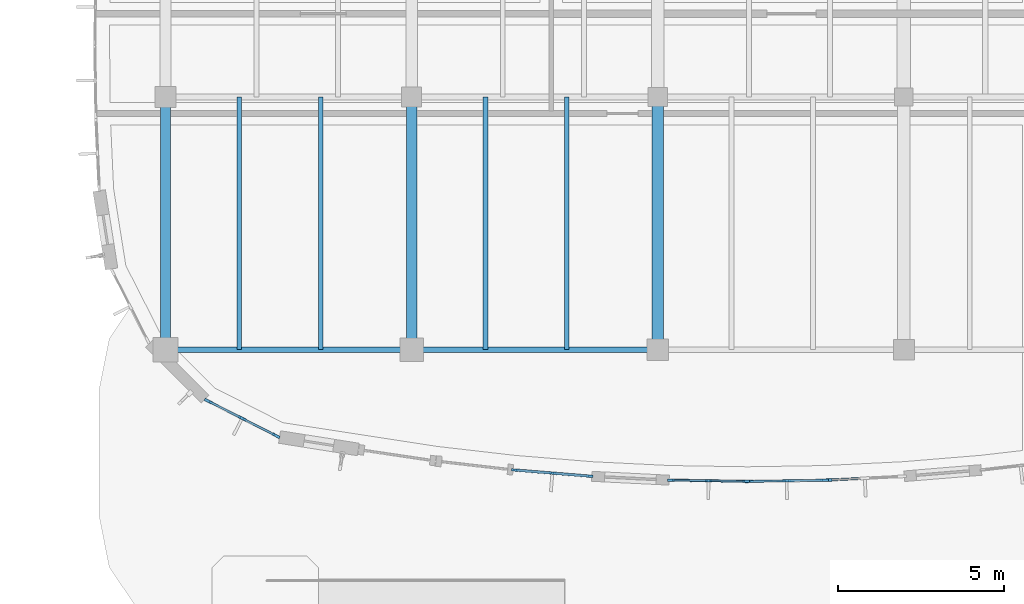
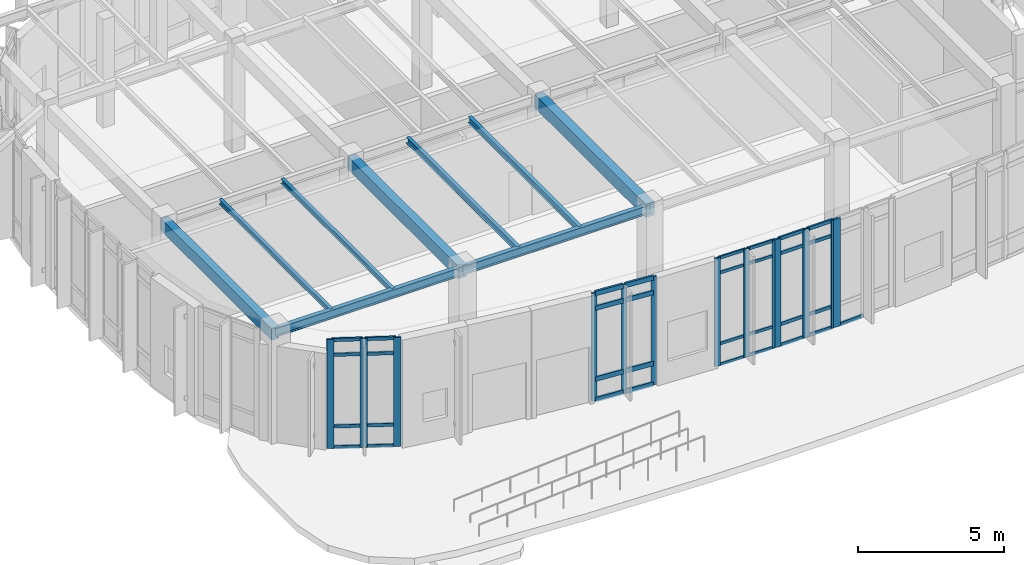
# One storey, part 30 of 120: 46 members, 9 beams, 5 elements without a shape of their own.
"""IFC4 building model written with IfcOpenShell, lengths in metres."""

from ifc_helpers import new_model, si_unit, direction, frame, origin, origin_2d, place, context, subcontext, project, spatial, rectangle, i_section, extrude, material, material_profile, profile_set, type_object, element, aggregate, save


model = new_model("IFC4")

# Units and contexts
model_context = context("Model", 3, precision=1e-05, world=origin(), true_north=direction((0.0, 1.0)))
body_context = subcontext(model_context, "Body", "Model", "MODEL_VIEW")
ifc_project = project(units=[si_unit("LENGTHUNIT", "METRE"), si_unit("AREAUNIT", "SQUARE_METRE"), si_unit("VOLUMEUNIT", "CUBIC_METRE"), si_unit("PLANEANGLEUNIT", "RADIAN"), si_unit("MASSUNIT", "GRAM", prefix="KILO")], contexts=[model_context])

# Site, building, storey
site_placement = place(None, origin())
site = spatial("IfcSite", under=ifc_project, at=site_placement, CompositionType="ELEMENT")
building_placement = place(site_placement, origin())
building = spatial("IfcBuilding", under=site, at=building_placement, Name="Corveleigh Park Community Centre", CompositionType="ELEMENT")
storey_placement = place(building_placement, origin())
storey = spatial("IfcBuildingStorey", under=building, at=storey_placement, Name="L00", CompositionType="ELEMENT", Elevation=0.0)

# Beams
ifc_material_1 = material(Name="Concrete C40/50", Category="concrete")
ifc_material_profile_1 = material_profile(ifc_material_1, rectangle(XDim=0.300048828125, YDim=0.5, at=origin_2d()), Name="RC-300x500", Category="concrete")
ifc_profile_set_1 = profile_set([ifc_material_profile_1], Name="Concrete C40/50")
beam_type_1 = type_object("IfcBeamType", Name="BM-RC-300x500", PredefinedType="BEAM", material=ifc_profile_set_1)
beam_1_placement = place(storey_placement, frame((72.0, 11.205078125, 4.2919921875), z_axis=(0.0, 1.0, 0.0), x_axis=(-1.0, 0.0, 0.0)))
element("IfcBeam", 1, at=beam_1_placement, inside=storey, type_object=beam_type_1, Name="V3 Girder Y", PredefinedType="BEAM", context=body_context, shape_type="SweptSolid", body=[
    extrude(rectangle(XDim=0.300048828125, YDim=0.5, at=origin_2d()), origin(), (0.0, 0.0, 1.0), 7.58984375),
])
ifc_material_profile_2 = material_profile(ifc_material_1, rectangle(XDim=0.324951171875, YDim=0.52490234375, at=origin_2d()), Name="RC-325x525", Category="concrete")
ifc_profile_set_2 = profile_set([ifc_material_profile_2], Name="Concrete C40/50")
beam_type_2 = type_object("IfcBeamType", Name="BM-RC-325x525", PredefinedType="BEAM", material=ifc_profile_set_2)
beam_2_placement = place(storey_placement, frame((79.39990234375, 11.205078125, 4.279541015625), z_axis=(0.0, 1.0, 0.0), x_axis=(-1.0, 0.0, 0.0)))
element("IfcBeam", 2, at=beam_2_placement, inside=storey, type_object=beam_type_2, Name="V3 Girder Y", PredefinedType="BEAM", context=body_context, shape_type="SweptSolid", body=[
    extrude(rectangle(XDim=0.324951171875, YDim=0.52490234375, at=origin_2d()), origin(), (0.0, 0.0, 1.0), 7.58984375),
])
ifc_material_profile_3 = material_profile(ifc_material_1, rectangle(XDim=0.35009765625, YDim=0.550048828125, at=origin_2d()), Name="RC-350x550", Category="concrete")
ifc_profile_set_3 = profile_set([ifc_material_profile_3], Name="Concrete C40/50")
beam_type_3 = type_object("IfcBeamType", Name="BM-RC-350x550", PredefinedType="BEAM", material=ifc_profile_set_3)
beam_3_placement = place(storey_placement, frame((86.800048828125, 11.205078125, 4.26708984375), z_axis=(0.0, 1.0, 0.0), x_axis=(-1.0, 0.0, 0.0)))
element("IfcBeam", 3, at=beam_3_placement, inside=storey, type_object=beam_type_3, Name="V3 Girder Y", PredefinedType="BEAM", context=body_context, shape_type="SweptSolid", body=[
    extrude(rectangle(XDim=0.35009765625, YDim=0.550048828125, at=origin_2d()), origin(), (0.0, 0.0, 1.0), 7.58984375),
])
ifc_material_2 = material(Name="Steel S355", Category="steel")
ifc_material_profile_4 = material_profile(ifc_material_2, i_section(OverallWidth=0.1337890625, OverallDepth=0.206787109375, WebThickness=0.00634765625, FlangeThickness=0.009521484375, at=origin_2d()), Name="UKB 203x133x30", Category="steel")
ifc_profile_set_4 = profile_set([ifc_material_profile_4], Name="Steel S355")
beam_type_4 = type_object("IfcBeamType", Name="BM-STL-UKB203x30", PredefinedType="JOIST", material=ifc_profile_set_4)
for number, where, z_axis, x_axis, name in (
    (4, (74.219970703125, 11.205078125, 4.438720703125), (0.0, 1.0, 0.0), (-1.0, 0.0, 0.0), "Secondary floor joist"),
    (5, (76.662109375, 11.205078125, 4.438720703125), (0.0, 1.0, 0.0), (-1.0, 0.0, 0.0), "Secondary floor joist"),
):
    element("IfcBeam", number, at=place(storey_placement, frame(where, z_axis=z_axis, x_axis=x_axis)), inside=storey, type_object=beam_type_4, Name=name, PredefinedType="JOIST", context=body_context, shape_type="SweptSolid", body=[
        extrude(i_section(OverallWidth=0.1337890625, OverallDepth=0.206787109375, WebThickness=0.00634765625, FlangeThickness=0.009521484375, at=origin_2d()), origin(), (0.0, 0.0, 1.0), 7.58984375),
    ])
ifc_material_profile_5 = material_profile(ifc_material_2, i_section(OverallWidth=0.14599609375, OverallDepth=0.25146484375, WebThickness=0.006103515625, FlangeThickness=0.008544921875, at=origin_2d()), Name="UKB 254x146x31", Category="steel")
ifc_profile_set_5 = profile_set([ifc_material_profile_5], Name="Steel S355")
beam_type_5 = type_object("IfcBeamType", Name="BM-STL-UKB254x31", PredefinedType="JOIST", material=ifc_profile_set_5)
for number, where, z_axis, x_axis, name in (
    (6, (81.6201171875, 11.205078125, 4.416259765625), (0.0, 1.0, 0.0), (-1.0, 0.0, 0.0), "Secondary floor joist"),
    (7, (84.06201171875, 11.205078125, 4.416259765625), (0.0, 1.0, 0.0), (-1.0, 0.0, 0.0), "Secondary floor joist"),
):
    element("IfcBeam", number, at=place(storey_placement, frame(where, z_axis=z_axis, x_axis=x_axis)), inside=storey, type_object=beam_type_5, Name=name, PredefinedType="JOIST", context=body_context, shape_type="SweptSolid", body=[
        extrude(i_section(OverallWidth=0.14599609375, OverallDepth=0.25146484375, WebThickness=0.006103515625, FlangeThickness=0.008544921875, at=origin_2d()), origin(), (0.0, 0.0, 1.0), 7.58984375),
    ])
ifc_material_profile_6 = material_profile(ifc_material_2, i_section(OverallWidth=0.172119140625, OverallDepth=0.35791015625, WebThickness=0.008056640625, FlangeThickness=0.012939453125, at=origin_2d()), Name="UKB 356x171x57", Category="steel")
ifc_profile_set_6 = profile_set([ifc_material_profile_6], Name="Steel S355")
beam_type_6 = type_object("IfcBeamType", Name="BM-STL-UKB356x57", PredefinedType="BEAM", material=ifc_profile_set_6)
beam_4_placement = place(storey_placement, frame((72.0048828125, 11.199951171875, 4.363037109375), z_axis=(1.0, 0.0, 0.0), x_axis=(0.0, 1.0, 0.0)))
element("IfcBeam", 8, at=beam_4_placement, inside=storey, type_object=beam_type_6, Name="V3 Girder X", PredefinedType="BEAM", context=body_context, shape_type="SweptSolid", body=[
    extrude(i_section(OverallWidth=0.172119140625, OverallDepth=0.35791015625, WebThickness=0.008056640625, FlangeThickness=0.012939453125, at=origin_2d()), origin(), (0.0, 0.0, 1.0), 7.39013671875),
])
ifc_material_profile_7 = material_profile(ifc_material_2, i_section(OverallWidth=0.173095703125, OverallDepth=0.36328125, WebThickness=0.009033203125, FlangeThickness=0.015625, at=origin_2d()), Name="UKB 356x171x67", Category="steel")
ifc_profile_set_7 = profile_set([ifc_material_profile_7], Name="Steel S355")
beam_type_7 = type_object("IfcBeamType", Name="BM-STL-UKB356x67", PredefinedType="BEAM", material=ifc_profile_set_7)
beam_5_placement = place(storey_placement, frame((79.405029296875, 11.199951171875, 4.3603515625), z_axis=(1.0, 0.0, 0.0), x_axis=(0.0, 1.0, 0.0)))
element("IfcBeam", 9, at=beam_5_placement, inside=storey, type_object=beam_type_7, Name="V3 Girder X", PredefinedType="BEAM", context=body_context, shape_type="SweptSolid", body=[
    extrude(i_section(OverallWidth=0.173095703125, OverallDepth=0.36328125, WebThickness=0.009033203125, FlangeThickness=0.015625, at=origin_2d()), origin(), (0.0, 0.0, 1.0), 7.389892578125),
])

# Curtain wall, members
ifc_material_3 = material(Name="Anodised aluminium 6063-T6", Category="aluminium")
curtain_wall_type = type_object("IfcCurtainWallType", Name="CW-SYS-V3-L00", PredefinedType="NOTDEFINED", material=ifc_material_3)
curtain_wall_1_placement = place(storey_placement, origin())
curtain_wall_1 = element("IfcCurtainWall", 10, at=curtain_wall_1_placement, inside=storey, type_object=curtain_wall_type, Name="V3 L00 Curtain Wall 75", PredefinedType="NOTDEFINED")
ifc_material_profile_8 = material_profile(ifc_material_3, rectangle(XDim=0.070068359375, YDim=0.199951171875, at=origin_2d()), Name="ALU-M70x200", Category="aluminium")
ifc_profile_set_8 = profile_set([ifc_material_profile_8], Name="Anodised aluminium 6063-T6")
member_type_1 = type_object("IfcMemberType", Name="CWM-70x200", PredefinedType="MULLION", material=ifc_profile_set_8)
member_1_placement = place(storey_placement, frame((84.758056640625, 7.39794921875, 0.0), z_axis=(0.0, 0.0, 1.0), x_axis=(-0.081483729643, -0.996674671999, 0.0)))
member_1 = element("IfcMember", 11, at=member_1_placement, type_object=member_type_1, Name="CW05 mullion 1", PredefinedType="MULLION", context=body_context, shape_type="SweptSolid", body=[
    extrude(rectangle(XDim=0.070068359375, YDim=0.199951171875, at=origin_2d()), origin(), (0.0, 0.0, 1.0), 4.511962890625),
])
member_2_placement = place(storey_placement, frame((83.631103515625, 7.489990234375, 0.0), z_axis=(0.0, 0.0, 1.0), x_axis=(-0.081483729643, -0.996674671999, 0.0)))
member_2 = element("IfcMember", 12, at=member_2_placement, type_object=member_type_1, Name="CW05 mullion 2", PredefinedType="MULLION", context=body_context, shape_type="SweptSolid", body=[
    extrude(rectangle(XDim=0.070068359375, YDim=0.199951171875, at=origin_2d()), origin(), (0.0, 0.0, 1.0), 4.511962890625),
])
member_3_placement = place(storey_placement, frame((82.50390625, 7.58203125, 0.0), z_axis=(0.0, 0.0, 1.0), x_axis=(-0.081483729643, -0.996674671999, 0.0)))
member_3 = element("IfcMember", 13, at=member_3_placement, type_object=member_type_1, Name="CW05 mullion 3", PredefinedType="MULLION", context=body_context, shape_type="SweptSolid", body=[
    extrude(rectangle(XDim=0.070068359375, YDim=0.199951171875, at=origin_2d()), origin(), (0.0, 0.0, 1.0), 4.511962890625),
])

curtain_wall_2_placement = place(storey_placement, origin())
curtain_wall_2 = element("IfcCurtainWall", 14, at=curtain_wall_2_placement, inside=storey, type_object=curtain_wall_type, Name="V3 L00 Curtain Wall 76", PredefinedType="NOTDEFINED")
ifc_material_profile_9 = material_profile(ifc_material_3, rectangle(XDim=0.074951171875, YDim=0.219970703125, at=origin_2d()), Name="ALU-M75x220", Category="aluminium")
ifc_profile_set_9 = profile_set([ifc_material_profile_9], Name="Anodised aluminium 6063-T6")
member_type_2 = type_object("IfcMemberType", Name="CWM-75x220", PredefinedType="MULLION", material=ifc_profile_set_9)
member_4_placement = place(storey_placement, frame((89.45361328125, 7.24072265625, 0.0), z_axis=(0.0, 0.0, 1.0), x_axis=(-0.016292862768, -0.999867262502, 0.0)))
member_4 = element("IfcMember", 15, at=member_4_placement, type_object=member_type_2, Name="CW05 mullion 1", PredefinedType="MULLION", context=body_context, shape_type="SweptSolid", body=[
    extrude(rectangle(XDim=0.074951171875, YDim=0.219970703125, at=origin_2d()), origin(), (0.0, 0.0, 1.0), 4.511962890625),
])
member_5_placement = place(storey_placement, frame((88.324951171875, 7.259033203125, 0.0), z_axis=(0.0, 0.0, 1.0), x_axis=(-0.016292862768, -0.999867262502, 0.0)))
member_5 = element("IfcMember", 16, at=member_5_placement, type_object=member_type_2, Name="CW05 mullion 2", PredefinedType="MULLION", context=body_context, shape_type="SweptSolid", body=[
    extrude(rectangle(XDim=0.074951171875, YDim=0.219970703125, at=origin_2d()), origin(), (0.0, 0.0, 1.0), 4.511962890625),
])
member_6_placement = place(storey_placement, frame((87.196533203125, 7.27734375, 0.0), z_axis=(0.0, 0.0, 1.0), x_axis=(-0.016292862768, -0.999867262502, 0.0)))
member_6 = element("IfcMember", 17, at=member_6_placement, type_object=member_type_2, Name="CW05 mullion 3", PredefinedType="MULLION", context=body_context, shape_type="SweptSolid", body=[
    extrude(rectangle(XDim=0.074951171875, YDim=0.219970703125, at=origin_2d()), origin(), (0.0, 0.0, 1.0), 4.511962890625),
])

curtain_wall_3_placement = place(storey_placement, origin())
curtain_wall_3 = element("IfcCurtainWall", 18, at=curtain_wall_3_placement, inside=storey, type_object=curtain_wall_type, Name="V3 L00 Curtain Wall 77", PredefinedType="NOTDEFINED")
ifc_material_profile_10 = material_profile(ifc_material_3, rectangle(XDim=0.080078125, YDim=0.25, at=origin_2d()), Name="ALU-M80x250", Category="aluminium")
ifc_profile_set_10 = profile_set([ifc_material_profile_10], Name="Anodised aluminium 6063-T6")
member_type_3 = type_object("IfcMemberType", Name="CWM-80x250", PredefinedType="MULLION", material=ifc_profile_set_10)
member_7_placement = place(storey_placement, frame((91.801025390625, 7.27734375, 0.0), z_axis=(0.0, 0.0, 1.0), x_axis=(0.016292862768, -0.999867262502, 0.0)))
member_7 = element("IfcMember", 19, at=member_7_placement, type_object=member_type_3, Name="CW05 mullion 1", PredefinedType="MULLION", context=body_context, shape_type="SweptSolid", body=[
    extrude(rectangle(XDim=0.080078125, YDim=0.25, at=origin_2d()), origin(), (0.0, 0.0, 1.0), 4.511962890625),
])
member_8_placement = place(storey_placement, frame((90.675048828125, 7.259033203125, 0.0), z_axis=(0.0, 0.0, 1.0), x_axis=(0.016292862768, -0.999867262502, 0.0)))
member_8 = element("IfcMember", 20, at=member_8_placement, type_object=member_type_3, Name="CW05 mullion 2", PredefinedType="MULLION", context=body_context, shape_type="SweptSolid", body=[
    extrude(rectangle(XDim=0.080078125, YDim=0.25, at=origin_2d()), origin(), (0.0, 0.0, 1.0), 4.511962890625),
])
member_9_placement = place(storey_placement, frame((89.549072265625, 7.24072265625, 0.0), z_axis=(0.0, 0.0, 1.0), x_axis=(0.016292862768, -0.999867262502, 0.0)))
member_9 = element("IfcMember", 21, at=member_9_placement, type_object=member_type_3, Name="CW05 mullion 3", PredefinedType="MULLION", context=body_context, shape_type="SweptSolid", body=[
    extrude(rectangle(XDim=0.080078125, YDim=0.25, at=origin_2d()), origin(), (0.0, 0.0, 1.0), 4.511962890625),
])

curtain_wall_4_placement = place(storey_placement, origin())
curtain_wall_4 = element("IfcCurtainWall", 22, at=curtain_wall_4_placement, inside=storey, type_object=curtain_wall_type, Name="V3 L00 Curtain Wall 107", PredefinedType="NOTDEFINED")
member_10_placement = place(storey_placement, frame((75.3203125, 8.6171875, 0.0), z_axis=(0.0, 0.0, 1.0), x_axis=(-0.45413480079, -0.890932984411, 0.0)))
member_10 = element("IfcMember", 23, at=member_10_placement, type_object=member_type_3, Name="CW05 mullion 1", PredefinedType="MULLION", context=body_context, shape_type="SweptSolid", body=[
    extrude(rectangle(XDim=0.080078125, YDim=0.25, at=origin_2d()), origin(), (0.0, 0.0, 1.0), 4.5419921875),
])
member_11_placement = place(storey_placement, frame((74.302490234375, 9.135986328125, 0.0), z_axis=(0.0, 0.0, 1.0), x_axis=(-0.45413480079, -0.890932984411, 0.0)))
member_11 = element("IfcMember", 24, at=member_11_placement, type_object=member_type_3, Name="CW05 mullion 2", PredefinedType="MULLION", context=body_context, shape_type="SweptSolid", body=[
    extrude(rectangle(XDim=0.080078125, YDim=0.25, at=origin_2d()), origin(), (0.0, 0.0, 1.0), 4.5419921875),
])
member_12_placement = place(storey_placement, frame((73.28466796875, 9.65478515625, 0.0), z_axis=(0.0, 0.0, 1.0), x_axis=(-0.45413480079, -0.890932984411, 0.0)))
member_12 = element("IfcMember", 25, at=member_12_placement, type_object=member_type_3, Name="CW05 mullion 3", PredefinedType="MULLION", context=body_context, shape_type="SweptSolid", body=[
    extrude(rectangle(XDim=0.080078125, YDim=0.25, at=origin_2d()), origin(), (0.0, 0.0, 1.0), 4.5419921875),
])

# Curtain wall, member
curtain_wall_5_placement = place(storey_placement, origin())
curtain_wall_5 = element("IfcCurtainWall", 26, at=curtain_wall_5_placement, inside=storey, type_object=curtain_wall_type, Name="V3 L00 Curtain Wall 78", PredefinedType="NOTDEFINED")
ifc_material_profile_11 = material_profile(ifc_material_3, rectangle(XDim=0.0849609375, YDim=0.27490234375, at=origin_2d()), Name="ALU-M85x275", Category="aluminium")
ifc_profile_set_11 = profile_set([ifc_material_profile_11], Name="Anodised aluminium 6063-T6")
member_type_4 = type_object("IfcMemberType", Name="CWM-85x275", PredefinedType="MULLION", material=ifc_profile_set_11)
member_13_placement = place(storey_placement, frame((91.9013671875, 7.280029296875, 0.0), z_axis=(0.0, 0.0, 1.0), x_axis=(0.049723823459, -0.998763005613, 0.0)))
member_13 = element("IfcMember", 27, at=member_13_placement, type_object=member_type_4, Name="CW05 mullion 3", PredefinedType="MULLION", context=body_context, shape_type="SweptSolid", body=[
    extrude(rectangle(XDim=0.0849609375, YDim=0.27490234375, at=origin_2d()), origin(), (0.0, 0.0, 1.0), 4.511962890625),
])

# Member
ifc_material_profile_12 = material_profile(ifc_material_3, rectangle(XDim=0.06005859375, YDim=0.1201171875, at=origin_2d()), Name="ALU-T60x120", Category="aluminium")
ifc_profile_set_12 = profile_set([ifc_material_profile_12], Name="Anodised aluminium 6063-T6")
member_type_5 = type_object("IfcMemberType", Name="CWT-60x120", PredefinedType="USERDEFINED", material=ifc_profile_set_12)
member_14_placement = place(storey_placement, frame((89.416015625, 7.2412109375, 0.030029296875), z_axis=(-0.999868441542, 0.016220345517, 0.0), x_axis=(-0.016220345517, -0.999868441542, 0.0)))
member_14 = element("IfcMember", 28, at=member_14_placement, type_object=member_type_5, Name="CW05 transom 1.1", ObjectType="TRANSOM", PredefinedType="USERDEFINED", context=body_context, shape_type="SweptSolid", body=[
    extrude(rectangle(XDim=0.06005859375, YDim=0.1201171875, at=origin_2d()), origin(), (0.0, 0.0, 1.0), 1.0537109375),
])

member_15_placement = place(storey_placement, frame((89.416015625, 7.2412109375, 0.89990234375), z_axis=(-0.999868441542, 0.016220345517, 0.0), x_axis=(-0.016220345517, -0.999868441542, 0.0)))
member_15 = element("IfcMember", 29, at=member_15_placement, type_object=member_type_5, Name="CW05 transom 1.2", ObjectType="TRANSOM", PredefinedType="USERDEFINED", context=body_context, shape_type="SweptSolid", body=[
    extrude(rectangle(XDim=0.06005859375, YDim=0.1201171875, at=origin_2d()), origin(), (0.0, 0.0, 1.0), 1.0537109375),
])

member_16_placement = place(storey_placement, frame((89.416015625, 7.2412109375, 3.862060546875), z_axis=(-0.999868441542, 0.016220345517, 0.0), x_axis=(-0.016220345517, -0.999868441542, 0.0)))
member_16 = element("IfcMember", 30, at=member_16_placement, type_object=member_type_5, Name="CW05 transom 1.3", ObjectType="TRANSOM", PredefinedType="USERDEFINED", context=body_context, shape_type="SweptSolid", body=[
    extrude(rectangle(XDim=0.06005859375, YDim=0.1201171875, at=origin_2d()), origin(), (0.0, 0.0, 1.0), 1.0537109375),
])

member_17_placement = place(storey_placement, frame((89.416015625, 7.2412109375, 4.48193359375), z_axis=(-0.999868441542, 0.016220345517, 0.0), x_axis=(-0.016220345517, -0.999868441542, 0.0)))
member_17 = element("IfcMember", 31, at=member_17_placement, type_object=member_type_5, Name="CW05 transom 1.4", ObjectType="TRANSOM", PredefinedType="USERDEFINED", context=body_context, shape_type="SweptSolid", body=[
    extrude(rectangle(XDim=0.06005859375, YDim=0.1201171875, at=origin_2d()), origin(), (0.0, 0.0, 1.0), 1.0537109375),
])

member_18_placement = place(storey_placement, frame((88.28759765625, 7.259521484375, 0.030029296875), z_axis=(-0.999864719346, 0.01644819163, 0.0), x_axis=(-0.01644819163, -0.999864719346, 0.0)))
member_18 = element("IfcMember", 32, at=member_18_placement, type_object=member_type_5, Name="CW05 transom 2.1", ObjectType="TRANSOM", PredefinedType="USERDEFINED", context=body_context, shape_type="SweptSolid", body=[
    extrude(rectangle(XDim=0.06005859375, YDim=0.1201171875, at=origin_2d()), origin(), (0.0, 0.0, 1.0), 1.053955078125),
])

member_19_placement = place(storey_placement, frame((88.28759765625, 7.259521484375, 0.89990234375), z_axis=(-0.999864719346, 0.01644819163, 0.0), x_axis=(-0.01644819163, -0.999864719346, 0.0)))
member_19 = element("IfcMember", 33, at=member_19_placement, type_object=member_type_5, Name="CW05 transom 2.2", ObjectType="TRANSOM", PredefinedType="USERDEFINED", context=body_context, shape_type="SweptSolid", body=[
    extrude(rectangle(XDim=0.06005859375, YDim=0.1201171875, at=origin_2d()), origin(), (0.0, 0.0, 1.0), 1.053955078125),
])

member_20_placement = place(storey_placement, frame((88.28759765625, 7.259521484375, 3.862060546875), z_axis=(-0.999864719346, 0.01644819163, 0.0), x_axis=(-0.01644819163, -0.999864719346, 0.0)))
member_20 = element("IfcMember", 34, at=member_20_placement, type_object=member_type_5, Name="CW05 transom 2.3", ObjectType="TRANSOM", PredefinedType="USERDEFINED", context=body_context, shape_type="SweptSolid", body=[
    extrude(rectangle(XDim=0.06005859375, YDim=0.1201171875, at=origin_2d()), origin(), (0.0, 0.0, 1.0), 1.053955078125),
])

member_21_placement = place(storey_placement, frame((88.28759765625, 7.259521484375, 4.48193359375), z_axis=(-0.999864719346, 0.01644819163, 0.0), x_axis=(-0.01644819163, -0.999864719346, 0.0)))
member_21 = element("IfcMember", 35, at=member_21_placement, type_object=member_type_5, Name="CW05 transom 2.4", ObjectType="TRANSOM", PredefinedType="USERDEFINED", context=body_context, shape_type="SweptSolid", body=[
    extrude(rectangle(XDim=0.06005859375, YDim=0.1201171875, at=origin_2d()), origin(), (0.0, 0.0, 1.0), 1.053955078125),
])

aggregate(curtain_wall_2, [member_4, member_5, member_6, member_14, member_15, member_16, member_17, member_18, member_19, member_20, member_21])

ifc_material_profile_13 = material_profile(ifc_material_3, rectangle(XDim=0.06494140625, YDim=0.139892578125, at=origin_2d()), Name="ALU-T65x140", Category="aluminium")
ifc_profile_set_13 = profile_set([ifc_material_profile_13], Name="Anodised aluminium 6063-T6")
member_type_6 = type_object("IfcMemberType", Name="CWT-65x140", PredefinedType="USERDEFINED", material=ifc_profile_set_13)
member_22_placement = place(storey_placement, frame((91.760986328125, 7.276611328125, 0.032470703125), z_axis=(-0.999870316485, -0.016104353837, 0.0), x_axis=(0.016104353837, -0.999870316485, 0.0)))
member_22 = element("IfcMember", 36, at=member_22_placement, type_object=member_type_6, Name="CW05 transom 1.1", ObjectType="TRANSOM", PredefinedType="USERDEFINED", context=body_context, shape_type="SweptSolid", body=[
    extrude(rectangle(XDim=0.06494140625, YDim=0.139892578125, at=origin_2d()), origin(), (0.0, 0.0, 1.0), 1.046142578125),
])

member_23_placement = place(storey_placement, frame((91.760986328125, 7.276611328125, 0.89990234375), z_axis=(-0.999870316485, -0.016104353837, 0.0), x_axis=(0.016104353837, -0.999870316485, 0.0)))
member_23 = element("IfcMember", 37, at=member_23_placement, type_object=member_type_6, Name="CW05 transom 1.2", ObjectType="TRANSOM", PredefinedType="USERDEFINED", context=body_context, shape_type="SweptSolid", body=[
    extrude(rectangle(XDim=0.06494140625, YDim=0.139892578125, at=origin_2d()), origin(), (0.0, 0.0, 1.0), 1.046142578125),
])

member_24_placement = place(storey_placement, frame((91.760986328125, 7.276611328125, 3.862060546875), z_axis=(-0.999870316485, -0.016104353837, 0.0), x_axis=(0.016104353837, -0.999870316485, 0.0)))
member_24 = element("IfcMember", 38, at=member_24_placement, type_object=member_type_6, Name="CW05 transom 1.3", ObjectType="TRANSOM", PredefinedType="USERDEFINED", context=body_context, shape_type="SweptSolid", body=[
    extrude(rectangle(XDim=0.06494140625, YDim=0.139892578125, at=origin_2d()), origin(), (0.0, 0.0, 1.0), 1.046142578125),
])

member_25_placement = place(storey_placement, frame((91.760986328125, 7.276611328125, 4.4794921875), z_axis=(-0.999870316485, -0.016104353837, 0.0), x_axis=(0.016104353837, -0.999870316485, 0.0)))
member_25 = element("IfcMember", 39, at=member_25_placement, type_object=member_type_6, Name="CW05 transom 1.4", ObjectType="TRANSOM", PredefinedType="USERDEFINED", context=body_context, shape_type="SweptSolid", body=[
    extrude(rectangle(XDim=0.06494140625, YDim=0.139892578125, at=origin_2d()), origin(), (0.0, 0.0, 1.0), 1.046142578125),
])

member_26_placement = place(storey_placement, frame((90.635009765625, 7.25830078125, 0.032470703125), z_axis=(-0.999866531062, -0.016337688416, 0.0), x_axis=(0.016337688416, -0.999866531062, 0.0)))
member_26 = element("IfcMember", 40, at=member_26_placement, type_object=member_type_6, Name="CW05 transom 2.1", ObjectType="TRANSOM", PredefinedType="USERDEFINED", context=body_context, shape_type="SweptSolid", body=[
    extrude(rectangle(XDim=0.06494140625, YDim=0.139892578125, at=origin_2d()), origin(), (0.0, 0.0, 1.0), 1.046142578125),
])

member_27_placement = place(storey_placement, frame((90.635009765625, 7.25830078125, 0.89990234375), z_axis=(-0.999866531062, -0.016337688416, 0.0), x_axis=(0.016337688416, -0.999866531062, 0.0)))
member_27 = element("IfcMember", 41, at=member_27_placement, type_object=member_type_6, Name="CW05 transom 2.2", ObjectType="TRANSOM", PredefinedType="USERDEFINED", context=body_context, shape_type="SweptSolid", body=[
    extrude(rectangle(XDim=0.06494140625, YDim=0.139892578125, at=origin_2d()), origin(), (0.0, 0.0, 1.0), 1.046142578125),
])

member_28_placement = place(storey_placement, frame((90.635009765625, 7.25830078125, 3.862060546875), z_axis=(-0.999866531062, -0.016337688416, 0.0), x_axis=(0.016337688416, -0.999866531062, 0.0)))
member_28 = element("IfcMember", 42, at=member_28_placement, type_object=member_type_6, Name="CW05 transom 2.3", ObjectType="TRANSOM", PredefinedType="USERDEFINED", context=body_context, shape_type="SweptSolid", body=[
    extrude(rectangle(XDim=0.06494140625, YDim=0.139892578125, at=origin_2d()), origin(), (0.0, 0.0, 1.0), 1.046142578125),
])

member_29_placement = place(storey_placement, frame((90.635009765625, 7.25830078125, 4.4794921875), z_axis=(-0.999866531062, -0.016337688416, 0.0), x_axis=(0.016337688416, -0.999866531062, 0.0)))
member_29 = element("IfcMember", 43, at=member_29_placement, type_object=member_type_6, Name="CW05 transom 2.4", ObjectType="TRANSOM", PredefinedType="USERDEFINED", context=body_context, shape_type="SweptSolid", body=[
    extrude(rectangle(XDim=0.06494140625, YDim=0.139892578125, at=origin_2d()), origin(), (0.0, 0.0, 1.0), 1.046142578125),
])

aggregate(curtain_wall_3, [member_7, member_8, member_9, member_22, member_23, member_24, member_25, member_26, member_27, member_28, member_29])

member_30_placement = place(storey_placement, frame((75.28466796875, 8.63525390625, 0.032470703125), z_axis=(-0.89086056488, 0.454276847245, 0.0), x_axis=(-0.454276847245, -0.89086056488, 0.0)))
member_30 = element("IfcMember", 44, at=member_30_placement, type_object=member_type_6, Name="CW05 transom 1.1", ObjectType="TRANSOM", PredefinedType="USERDEFINED", context=body_context, shape_type="SweptSolid", body=[
    extrude(rectangle(XDim=0.06494140625, YDim=0.139892578125, at=origin_2d()), origin(), (0.0, 0.0, 1.0), 1.0625),
])

member_31_placement = place(storey_placement, frame((75.28466796875, 8.63525390625, 0.89990234375), z_axis=(-0.89086056488, 0.454276847245, 0.0), x_axis=(-0.454276847245, -0.89086056488, 0.0)))
member_31 = element("IfcMember", 45, at=member_31_placement, type_object=member_type_6, Name="CW05 transom 1.2", ObjectType="TRANSOM", PredefinedType="USERDEFINED", context=body_context, shape_type="SweptSolid", body=[
    extrude(rectangle(XDim=0.06494140625, YDim=0.139892578125, at=origin_2d()), origin(), (0.0, 0.0, 1.0), 1.0625),
])

member_32_placement = place(storey_placement, frame((75.28466796875, 8.63525390625, 3.89208984375), z_axis=(-0.89086056488, 0.454276847245, 0.0), x_axis=(-0.454276847245, -0.89086056488, 0.0)))
member_32 = element("IfcMember", 46, at=member_32_placement, type_object=member_type_6, Name="CW05 transom 1.3", ObjectType="TRANSOM", PredefinedType="USERDEFINED", context=body_context, shape_type="SweptSolid", body=[
    extrude(rectangle(XDim=0.06494140625, YDim=0.139892578125, at=origin_2d()), origin(), (0.0, 0.0, 1.0), 1.0625),
])

member_33_placement = place(storey_placement, frame((75.28466796875, 8.63525390625, 4.509521484375), z_axis=(-0.89086056488, 0.454276847245, 0.0), x_axis=(-0.454276847245, -0.89086056488, 0.0)))
member_33 = element("IfcMember", 47, at=member_33_placement, type_object=member_type_6, Name="CW05 transom 1.4", ObjectType="TRANSOM", PredefinedType="USERDEFINED", context=body_context, shape_type="SweptSolid", body=[
    extrude(rectangle(XDim=0.06494140625, YDim=0.139892578125, at=origin_2d()), origin(), (0.0, 0.0, 1.0), 1.0625),
])

member_34_placement = place(storey_placement, frame((74.266845703125, 9.154052734375, 0.032470703125), z_axis=(-0.89086056488, 0.454276847245, 0.0), x_axis=(-0.454276847245, -0.89086056488, 0.0)))
member_34 = element("IfcMember", 48, at=member_34_placement, type_object=member_type_6, Name="CW05 transom 2.1", ObjectType="TRANSOM", PredefinedType="USERDEFINED", context=body_context, shape_type="SweptSolid", body=[
    extrude(rectangle(XDim=0.06494140625, YDim=0.139892578125, at=origin_2d()), origin(), (0.0, 0.0, 1.0), 1.0625),
])

member_35_placement = place(storey_placement, frame((74.266845703125, 9.154052734375, 0.89990234375), z_axis=(-0.89086056488, 0.454276847245, 0.0), x_axis=(-0.454276847245, -0.89086056488, 0.0)))
member_35 = element("IfcMember", 49, at=member_35_placement, type_object=member_type_6, Name="CW05 transom 2.2", ObjectType="TRANSOM", PredefinedType="USERDEFINED", context=body_context, shape_type="SweptSolid", body=[
    extrude(rectangle(XDim=0.06494140625, YDim=0.139892578125, at=origin_2d()), origin(), (0.0, 0.0, 1.0), 1.0625),
])

member_36_placement = place(storey_placement, frame((74.266845703125, 9.154052734375, 3.89208984375), z_axis=(-0.89086056488, 0.454276847245, 0.0), x_axis=(-0.454276847245, -0.89086056488, 0.0)))
member_36 = element("IfcMember", 50, at=member_36_placement, type_object=member_type_6, Name="CW05 transom 2.3", ObjectType="TRANSOM", PredefinedType="USERDEFINED", context=body_context, shape_type="SweptSolid", body=[
    extrude(rectangle(XDim=0.06494140625, YDim=0.139892578125, at=origin_2d()), origin(), (0.0, 0.0, 1.0), 1.0625),
])

member_37_placement = place(storey_placement, frame((74.266845703125, 9.154052734375, 4.509521484375), z_axis=(-0.89086056488, 0.454276847245, 0.0), x_axis=(-0.454276847245, -0.89086056488, 0.0)))
member_37 = element("IfcMember", 51, at=member_37_placement, type_object=member_type_6, Name="CW05 transom 2.4", ObjectType="TRANSOM", PredefinedType="USERDEFINED", context=body_context, shape_type="SweptSolid", body=[
    extrude(rectangle(XDim=0.06494140625, YDim=0.139892578125, at=origin_2d()), origin(), (0.0, 0.0, 1.0), 1.0625),
])

aggregate(curtain_wall_4, [member_10, member_11, member_12, member_30, member_31, member_32, member_33, member_34, member_35, member_36, member_37])

ifc_material_profile_14 = material_profile(ifc_material_3, rectangle(XDim=0.070068359375, YDim=0.155029296875, at=origin_2d()), Name="ALU-T70x155", Category="aluminium")
ifc_profile_set_14 = profile_set([ifc_material_profile_14], Name="Anodised aluminium 6063-T6")
member_type_7 = type_object("IfcMemberType", Name="CWT-70x155", PredefinedType="USERDEFINED", material=ifc_profile_set_14)
member_38_placement = place(storey_placement, frame((92.9814453125, 7.333984375, 0.034912109375), z_axis=(-0.998758192398, -0.049820408656, 0.0), x_axis=(0.049820408656, -0.998758192398, 0.0)))
member_38 = element("IfcMember", 52, at=member_38_placement, type_object=member_type_7, Name="CW05 transom 2.1", ObjectType="TRANSOM", PredefinedType="USERDEFINED", context=body_context, shape_type="SweptSolid", body=[
    extrude(rectangle(XDim=0.070068359375, YDim=0.155029296875, at=origin_2d()), origin(), (0.0, 0.0, 1.0), 1.038818359375),
])

aggregate(curtain_wall_5, [member_13, member_38])

ifc_material_profile_15 = material_profile(ifc_material_3, rectangle(XDim=0.080078125, YDim=0.195068359375, at=origin_2d()), Name="ALU-T80x195", Category="aluminium")
ifc_profile_set_15 = profile_set([ifc_material_profile_15], Name="Anodised aluminium 6063-T6")
member_type_8 = type_object("IfcMemberType", Name="CWT-80x195", PredefinedType="USERDEFINED", material=ifc_profile_set_15)
member_39_placement = place(storey_placement, frame((84.72314453125, 7.400634765625, 0.0400390625), z_axis=(-0.996676231929, 0.081464646987, 0.0), x_axis=(-0.081464646987, -0.996676231929, 0.0)))
member_39 = element("IfcMember", 53, at=member_39_placement, type_object=member_type_8, Name="CW05 transom 1.1", ObjectType="TRANSOM", PredefinedType="USERDEFINED", context=body_context, shape_type="SweptSolid", body=[
    extrude(rectangle(XDim=0.080078125, YDim=0.195068359375, at=origin_2d()), origin(), (0.0, 0.0, 1.0), 1.060791015625),
])

member_40_placement = place(storey_placement, frame((84.72314453125, 7.400634765625, 0.89990234375), z_axis=(-0.996676231929, 0.081464646987, 0.0), x_axis=(-0.081464646987, -0.996676231929, 0.0)))
member_40 = element("IfcMember", 54, at=member_40_placement, type_object=member_type_8, Name="CW05 transom 1.2", ObjectType="TRANSOM", PredefinedType="USERDEFINED", context=body_context, shape_type="SweptSolid", body=[
    extrude(rectangle(XDim=0.080078125, YDim=0.195068359375, at=origin_2d()), origin(), (0.0, 0.0, 1.0), 1.060791015625),
])

member_41_placement = place(storey_placement, frame((84.72314453125, 7.400634765625, 3.862060546875), z_axis=(-0.996676231929, 0.081464646987, 0.0), x_axis=(-0.081464646987, -0.996676231929, 0.0)))
member_41 = element("IfcMember", 55, at=member_41_placement, type_object=member_type_8, Name="CW05 transom 1.3", ObjectType="TRANSOM", PredefinedType="USERDEFINED", context=body_context, shape_type="SweptSolid", body=[
    extrude(rectangle(XDim=0.080078125, YDim=0.195068359375, at=origin_2d()), origin(), (0.0, 0.0, 1.0), 1.060791015625),
])

member_42_placement = place(storey_placement, frame((84.72314453125, 7.400634765625, 4.471923828125), z_axis=(-0.996676231929, 0.081464646987, 0.0), x_axis=(-0.081464646987, -0.996676231929, 0.0)))
member_42 = element("IfcMember", 56, at=member_42_placement, type_object=member_type_8, Name="CW05 transom 1.4", ObjectType="TRANSOM", PredefinedType="USERDEFINED", context=body_context, shape_type="SweptSolid", body=[
    extrude(rectangle(XDim=0.080078125, YDim=0.195068359375, at=origin_2d()), origin(), (0.0, 0.0, 1.0), 1.060791015625),
])

member_43_placement = place(storey_placement, frame((83.59619140625, 7.492919921875, 0.0400390625), z_axis=(-0.996676231929, 0.081464646987, 0.0), x_axis=(-0.081464646987, -0.996676231929, 0.0)))
member_43 = element("IfcMember", 57, at=member_43_placement, type_object=member_type_8, Name="CW05 transom 2.1", ObjectType="TRANSOM", PredefinedType="USERDEFINED", context=body_context, shape_type="SweptSolid", body=[
    extrude(rectangle(XDim=0.080078125, YDim=0.195068359375, at=origin_2d()), origin(), (0.0, 0.0, 1.0), 1.060791015625),
])

member_44_placement = place(storey_placement, frame((83.59619140625, 7.492919921875, 0.89990234375), z_axis=(-0.996676231929, 0.081464646987, 0.0), x_axis=(-0.081464646987, -0.996676231929, 0.0)))
member_44 = element("IfcMember", 58, at=member_44_placement, type_object=member_type_8, Name="CW05 transom 2.2", ObjectType="TRANSOM", PredefinedType="USERDEFINED", context=body_context, shape_type="SweptSolid", body=[
    extrude(rectangle(XDim=0.080078125, YDim=0.195068359375, at=origin_2d()), origin(), (0.0, 0.0, 1.0), 1.060791015625),
])

member_45_placement = place(storey_placement, frame((83.59619140625, 7.492919921875, 3.862060546875), z_axis=(-0.996676231929, 0.081464646987, 0.0), x_axis=(-0.081464646987, -0.996676231929, 0.0)))
member_45 = element("IfcMember", 59, at=member_45_placement, type_object=member_type_8, Name="CW05 transom 2.3", ObjectType="TRANSOM", PredefinedType="USERDEFINED", context=body_context, shape_type="SweptSolid", body=[
    extrude(rectangle(XDim=0.080078125, YDim=0.195068359375, at=origin_2d()), origin(), (0.0, 0.0, 1.0), 1.060791015625),
])

member_46_placement = place(storey_placement, frame((83.59619140625, 7.492919921875, 4.471923828125), z_axis=(-0.996676231929, 0.081464646987, 0.0), x_axis=(-0.081464646987, -0.996676231929, 0.0)))
member_46 = element("IfcMember", 60, at=member_46_placement, type_object=member_type_8, Name="CW05 transom 2.4", ObjectType="TRANSOM", PredefinedType="USERDEFINED", context=body_context, shape_type="SweptSolid", body=[
    extrude(rectangle(XDim=0.080078125, YDim=0.195068359375, at=origin_2d()), origin(), (0.0, 0.0, 1.0), 1.060791015625),
])

aggregate(curtain_wall_1, [member_1, member_2, member_3, member_39, member_40, member_41, member_42, member_43, member_44, member_45, member_46])

save(model, "model.ifc")
